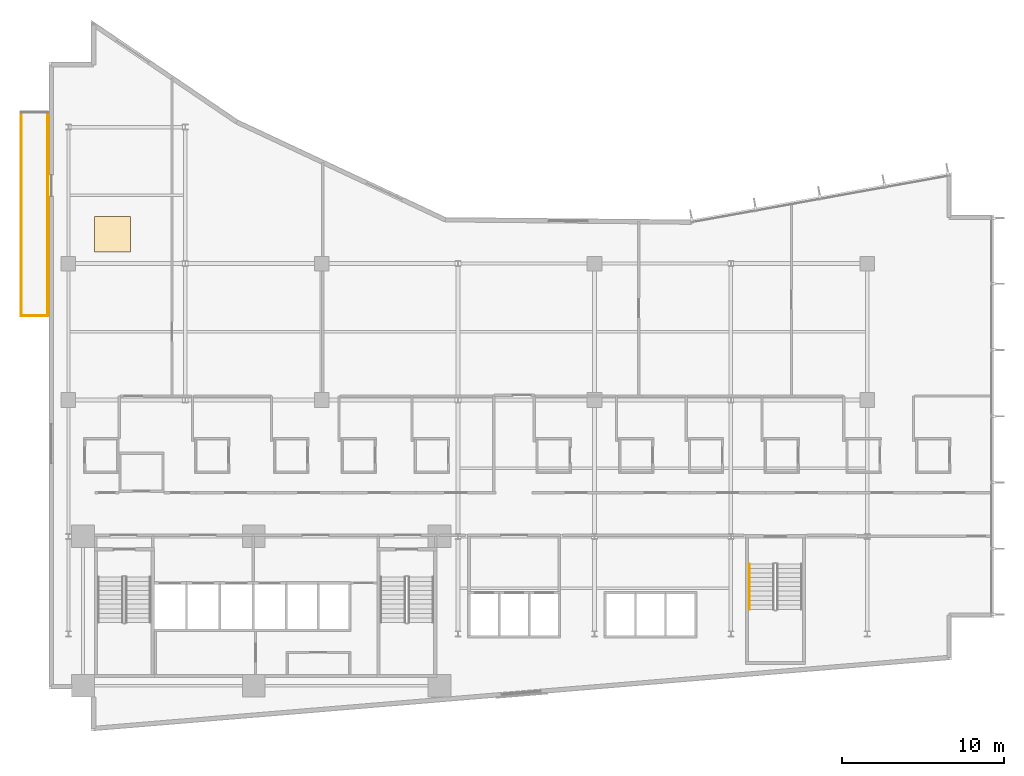
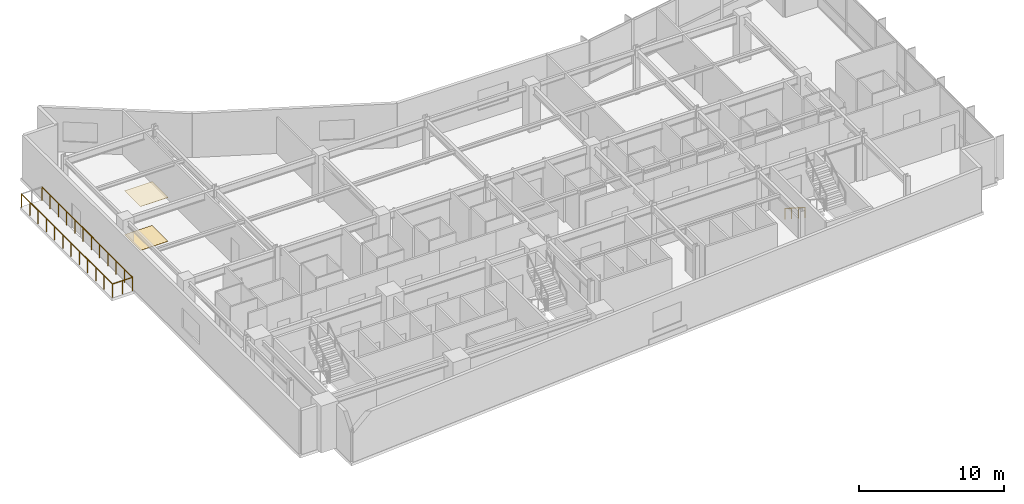
# One storey, part 18 of 21: 4 railings, 2 coverings.
"""IFC4 building model written with IfcOpenShell, lengths in metres."""

from ifc_helpers import new_model, si_unit, direction, frame, origin, origin_2d, place, context, subcontext, project, spatial, rectangle, circle, extrude, material, layer, layer_set, type_object, element, save


model = new_model("IFC4")

# Units and contexts
model_context = context("Model", 3, precision=1e-05, world=origin(), true_north=direction((0.0, 1.0)))
body_context = subcontext(model_context, "Body", "Model", "MODEL_VIEW")
ifc_project = project(units=[si_unit("LENGTHUNIT", "METRE"), si_unit("AREAUNIT", "SQUARE_METRE"), si_unit("VOLUMEUNIT", "CUBIC_METRE"), si_unit("PLANEANGLEUNIT", "RADIAN"), si_unit("MASSUNIT", "GRAM", prefix="KILO")], contexts=[model_context])

# Site, building, storey
site_placement = place(None, origin())
site = spatial("IfcSite", under=ifc_project, at=site_placement, CompositionType="ELEMENT")
building_placement = place(site_placement, origin())
building = spatial("IfcBuilding", under=site, at=building_placement, Name="Varnakote Quay Hospital", CompositionType="ELEMENT")
storey_placement = place(building_placement, frame((0.0, 0.0, 42.25)))
storey = spatial("IfcBuildingStorey", under=building, at=storey_placement, Name="L10", CompositionType="ELEMENT", Elevation=42.25)

# Coverings
ifc_material_1 = material(Name="Antimicrobial acoustic mineral ceiling tile", Category="gypsum")
ifc_layer_1 = layer(ifc_material_1, 0.02490234375)
ifc_layer_set_1 = layer_set([ifc_layer_1], Name="Antimicrobial acoustic mineral ceiling tile")
covering_type_1 = type_object("IfcCoveringType", Name="COV-CLIN-CEIL-25", PredefinedType="CEILING", material=ifc_layer_set_1)
covering_1_placement = place(storey_placement, frame((3.909912109375, 30.596923828125, 3.68505859375), z_axis=(0.0, 0.0, 1.0), x_axis=(1.0, 0.0, 0.0)))
element("IfcCovering", 1, at=covering_1_placement, inside=storey, type_object=covering_type_1, Name="L10 Antimicrobial Acoustic Ceiling Tile", PredefinedType="CEILING", context=body_context, shape_type="SweptSolid", body=[
    extrude(rectangle(XDim=2.199951171875, YDim=2.199951171875, at=origin_2d()), origin(), (0.0, 0.0, 1.0), 0.02490234375),
])
ifc_material_2 = material(Name="Seamless clinical sheet vinyl flooring")
ifc_layer_2 = layer(ifc_material_2, 0.011962890625)
ifc_layer_set_2 = layer_set([ifc_layer_2], Name="Seamless clinical sheet vinyl flooring")
covering_type_2 = type_object("IfcCoveringType", Name="COV-CLIN-VINYL-12", PredefinedType="FLOORING", material=ifc_layer_set_2)
covering_2_placement = place(storey_placement, frame((3.909912109375, 30.596923828125, 0.0), z_axis=(0.0, 0.0, 1.0), x_axis=(1.0, 0.0, 0.0)))
element("IfcCovering", 2, at=covering_2_placement, inside=storey, type_object=covering_type_2, Name="L10 Seamless Clinical Vinyl Flooring", PredefinedType="FLOORING", context=body_context, shape_type="SweptSolid", body=[
    extrude(rectangle(XDim=2.199951171875, YDim=2.199951171875, at=origin_2d()), origin(), (0.0, 0.0, 1.0), 0.011962890625),
])

# Railings
ifc_material_3 = material(Name="Anodised aluminium 6063-T6 Bronze", Category="aluminium")
railing_type_1 = type_object("IfcRailingType", Name="RLG-EXT-GUARD-1150", PredefinedType="GUARDRAIL", material=ifc_material_3)
railing_1_placement = place(storey_placement, frame((-0.075927734375, 25.580078125, 0.0)))
element("IfcRailing", 3, at=railing_1_placement, inside=storey, type_object=railing_type_1, Name="L10 Zigzag Prow Healing Terrace Safety Guard", PredefinedType="GUARDRAIL", context=body_context, shape_type="SweptSolid", body=[
    extrude(circle(Radius=0.02392578125, at=origin_2d()), frame((0.0, 0.0, 1.1259765625), z_axis=(-1.0, 0.0, 0.0), x_axis=(0.0, -1.0, 0.0)), (0.0, 0.0, 1.0), 1.6240234375),
    extrude(circle(Radius=0.02099609375, at=origin_2d()), origin(), (0.0, 0.0, 1.0), 1.101806640625),
    extrude(circle(Radius=0.02099609375, at=origin_2d()), frame((-0.81201171875, 0.0, 0.0)), (0.0, 0.0, 1.0), 1.101806640625),
    extrude(circle(Radius=0.02099609375, at=origin_2d()), frame((-1.6240234375, 0.0, 0.0)), (0.0, 0.0, 1.0), 1.101806640625),
])
railing_2_placement = place(storey_placement, frame((-1.699951171875, 25.580078125, 0.0)))
element("IfcRailing", 4, at=railing_2_placement, inside=storey, type_object=railing_type_1, Name="L10 Zigzag Prow Healing Terrace Safety Guard", PredefinedType="GUARDRAIL", context=body_context, shape_type="SweptSolid", body=[
    extrude(circle(Radius=0.02392578125, at=origin_2d()), frame((0.0, 0.0, 1.1259765625), z_axis=(0.0, 1.0, 0.0), x_axis=(-1.0, 0.0, 0.0)), (0.0, 0.0, 1.0), 12.5400390625),
    extrude(circle(Radius=0.02099609375, at=origin_2d()), origin(), (0.0, 0.0, 1.0), 1.101806640625),
    extrude(circle(Radius=0.02099609375, at=origin_2d()), frame((0.0, 1.139892578125, 0.0)), (0.0, 0.0, 1.0), 1.101806640625),
    extrude(circle(Radius=0.02099609375, at=origin_2d()), frame((0.0, 2.280029296875, 0.0)), (0.0, 0.0, 1.0), 1.101806640625),
    extrude(circle(Radius=0.02099609375, at=origin_2d()), frame((0.0, 3.419921875, 0.0)), (0.0, 0.0, 1.0), 1.101806640625),
    extrude(circle(Radius=0.02099609375, at=origin_2d()), frame((0.0, 4.56005859375, 0.0)), (0.0, 0.0, 1.0), 1.101806640625),
    extrude(circle(Radius=0.02099609375, at=origin_2d()), frame((0.0, 5.699951171875, 0.0)), (0.0, 0.0, 1.0), 1.101806640625),
    extrude(circle(Radius=0.02099609375, at=origin_2d()), frame((0.0, 6.840087890625, 0.0)), (0.0, 0.0, 1.0), 1.101806640625),
    extrude(circle(Radius=0.02099609375, at=origin_2d()), frame((0.0, 7.97998046875, 0.0)), (0.0, 0.0, 1.0), 1.101806640625),
    extrude(circle(Radius=0.02099609375, at=origin_2d()), frame((0.0, 9.1201171875, 0.0)), (0.0, 0.0, 1.0), 1.101806640625),
    extrude(circle(Radius=0.02099609375, at=origin_2d()), frame((0.0, 10.260009765625, 0.0)), (0.0, 0.0, 1.0), 1.101806640625),
    extrude(circle(Radius=0.02099609375, at=origin_2d()), frame((0.0, 11.400146484375, 0.0)), (0.0, 0.0, 1.0), 1.101806640625),
    extrude(circle(Radius=0.02099609375, at=origin_2d()), frame((0.0, 12.5400390625, 0.0)), (0.0, 0.0, 1.0), 1.101806640625),
])
railing_3_placement = place(storey_placement, frame((-0.075927734375, 38.1201171875, 0.0)))
element("IfcRailing", 5, at=railing_3_placement, inside=storey, type_object=railing_type_1, Name="L10 Zigzag Prow Healing Terrace Safety Guard", PredefinedType="GUARDRAIL", context=body_context, shape_type="SweptSolid", body=[
    extrude(circle(Radius=0.02392578125, at=origin_2d()), frame((0.0, 0.0, 1.1259765625), z_axis=(0.0, -1.0, 0.0), x_axis=(1.0, 0.0, 0.0)), (0.0, 0.0, 1.0), 12.5400390625),
    extrude(circle(Radius=0.02099609375, at=origin_2d()), origin(), (0.0, 0.0, 1.0), 1.101806640625),
    extrude(circle(Radius=0.02099609375, at=origin_2d()), frame((0.0, -1.139892578125, 0.0)), (0.0, 0.0, 1.0), 1.101806640625),
    extrude(circle(Radius=0.02099609375, at=origin_2d()), frame((0.0, -2.280029296875, 0.0)), (0.0, 0.0, 1.0), 1.101806640625),
    extrude(circle(Radius=0.02099609375, at=origin_2d()), frame((0.0, -3.419921875, 0.0)), (0.0, 0.0, 1.0), 1.101806640625),
    extrude(circle(Radius=0.02099609375, at=origin_2d()), frame((0.0, -4.56005859375, 0.0)), (0.0, 0.0, 1.0), 1.101806640625),
    extrude(circle(Radius=0.02099609375, at=origin_2d()), frame((0.0, -5.699951171875, 0.0)), (0.0, 0.0, 1.0), 1.101806640625),
    extrude(circle(Radius=0.02099609375, at=origin_2d()), frame((0.0, -6.840087890625, 0.0)), (0.0, 0.0, 1.0), 1.101806640625),
    extrude(circle(Radius=0.02099609375, at=origin_2d()), frame((0.0, -7.97998046875, 0.0)), (0.0, 0.0, 1.0), 1.101806640625),
    extrude(circle(Radius=0.02099609375, at=origin_2d()), frame((0.0, -9.1201171875, 0.0)), (0.0, 0.0, 1.0), 1.101806640625),
    extrude(circle(Radius=0.02099609375, at=origin_2d()), frame((0.0, -10.260009765625, 0.0)), (0.0, 0.0, 1.0), 1.101806640625),
    extrude(circle(Radius=0.02099609375, at=origin_2d()), frame((0.0, -11.400146484375, 0.0)), (0.0, 0.0, 1.0), 1.101806640625),
    extrude(circle(Radius=0.02099609375, at=origin_2d()), frame((0.0, -12.5400390625, 0.0)), (0.0, 0.0, 1.0), 1.101806640625),
])
ifc_material_4 = material(Name="Brushed stainless steel handrail", Category="steel")
railing_type_2 = type_object("IfcRailingType", Name="RLG-STAIR-HND-920", PredefinedType="HANDRAIL", material=ifc_material_4)
railing_4_placement = place(storey_placement, frame((43.14990234375, 10.300048828125, 0.179443359375)))
element("IfcRailing", 6, at=railing_4_placement, inside=storey, type_object=railing_type_2, Name="L10 ST-03 stair handrail 1", PredefinedType="HANDRAIL", context=body_context, shape_type="SweptSolid", body=[
    extrude(circle(Radius=0.02392578125, at=origin_2d()), frame((0.0, 0.0, 0.8759765625), z_axis=(0.0, -0.841776520102, 0.539826166654), x_axis=(1.0, 0.0, 0.0)), (0.0, 0.0, 1.0), 3.326416015625),
    extrude(circle(Radius=0.02099609375, at=origin_2d()), origin(), (0.0, 0.0, 1.0), 0.851806640625),
    extrude(circle(Radius=0.02099609375, at=origin_2d()), frame((0.0, -0.933349609375, 0.5986328125)), (0.0, 0.0, 1.0), 0.851806640625),
    extrude(circle(Radius=0.02099609375, at=origin_2d()), frame((0.0, -1.86669921875, 1.197021484375)), (0.0, 0.0, 1.0), 0.851806640625),
    extrude(circle(Radius=0.02099609375, at=origin_2d()), frame((0.0, -2.800048828125, 1.795654296875)), (0.0, 0.0, 1.0), 0.851806640625),
])

save(model, "model.ifc")
